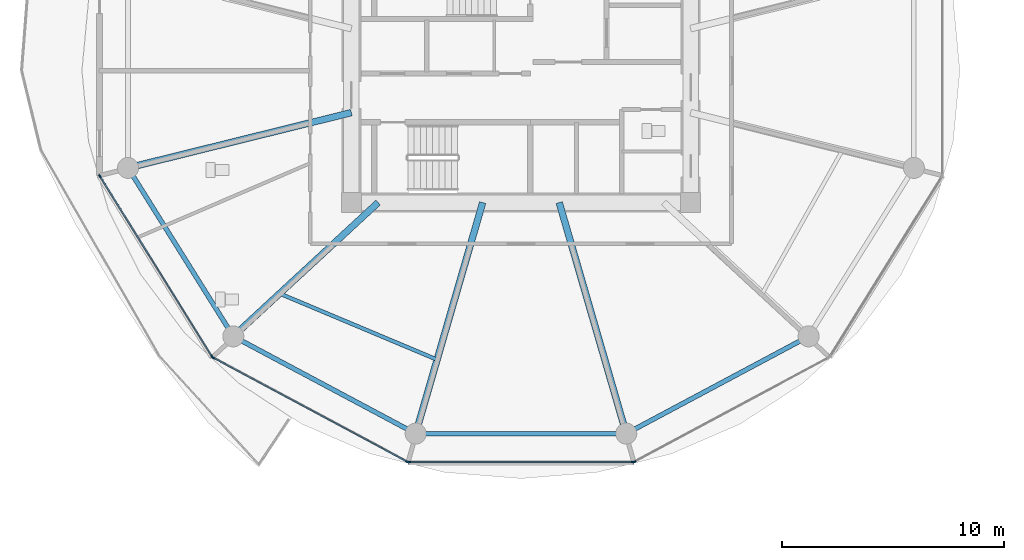
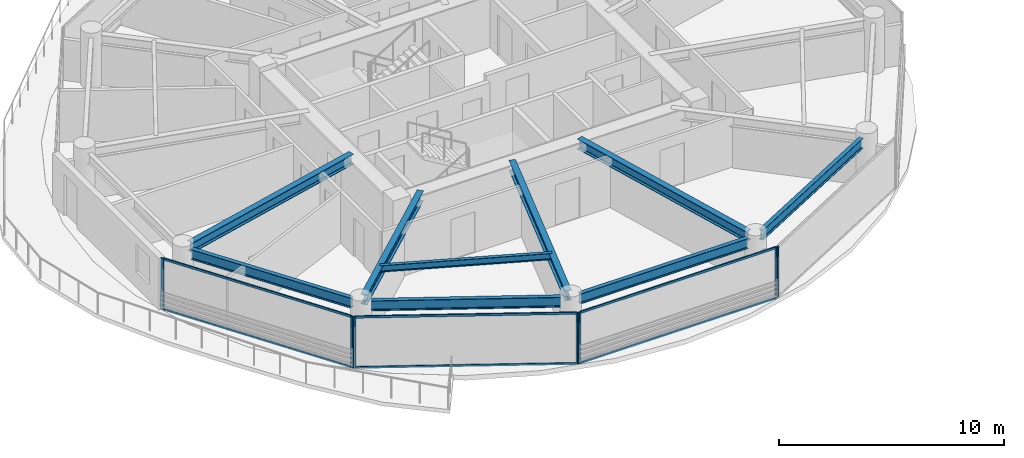
# One storey, part 2 of 27: 13 members, 9 beams, 4 elements without a shape of their own.
"""IFC4 building model written with IfcOpenShell, lengths in metres."""

from ifc_helpers import new_model, si_unit, direction, frame, origin, origin_2d, place, context, subcontext, project, spatial, rectangle, i_section, extrude, source, transform, mapped, material, layer, layer_set, material_profile, profile_set, type_object, type_shapes, element, aggregate, save


model = new_model("IFC4")

# Units and contexts
model_context = context("Model", 3, precision=1e-05, world=origin(), true_north=direction((0.0, 1.0)))
body_context = subcontext(model_context, "Body", "Model", "MODEL_VIEW")
ifc_project = project(units=[si_unit("LENGTHUNIT", "METRE"), si_unit("AREAUNIT", "SQUARE_METRE"), si_unit("VOLUMEUNIT", "CUBIC_METRE"), si_unit("PLANEANGLEUNIT", "RADIAN"), si_unit("MASSUNIT", "GRAM", prefix="KILO")], contexts=[model_context])

# Site, building, storey
site_placement = place(None, origin())
site = spatial("IfcSite", under=ifc_project, at=site_placement, CompositionType="ELEMENT")
building_placement = place(site_placement, origin())
building = spatial("IfcBuilding", under=site, at=building_placement, Name="Norrkilde Senior Care Towers", CompositionType="ELEMENT")
storey_placement = place(building_placement, frame((0.0, 0.0, 36.85009765625)))
storey = spatial("IfcBuildingStorey", under=building, at=storey_placement, Name="L10", CompositionType="ELEMENT", Elevation=36.85009765625)

# Beams
ifc_material_1 = material(Name="Steel S355", Category="steel")
ifc_material_profile_1 = material_profile(ifc_material_1, i_section(OverallWidth=0.2099609375, OverallDepth=0.550048828125, WebThickness=0.010986328125, FlangeThickness=0.01708984375, FilletRadius=0.02392578125, at=origin_2d()), Name="IPE 550")
ifc_profile_set_1 = profile_set([ifc_material_profile_1], Name="Steel S355")
beam_type_1 = type_object("IfcBeamType", Name="Perimeter Ring Spandrel Z1 IPE550", PredefinedType="SPANDREL", material=ifc_profile_set_1)
shared_shape_1 = source(origin(), body_context, "Body", "SweptSolid", [
    extrude(i_section(OverallWidth=0.2099609375, OverallDepth=0.550048828125, WebThickness=0.010986328125, FlangeThickness=0.01708984375, FilletRadius=0.02392578125, at=origin_2d()), origin(), (0.0, 0.0, 1.0), 8.090576171875),
])
beam_1_placement = place(storey_placement, frame((-45.494140625, -4.755859375, 2.514892578125), z_axis=(0.530004364821, -0.84799491347, 0.0), x_axis=(0.84799491347, 0.530004364821, 0.0)))
element("IfcBeam", 1, at=beam_1_placement, inside=storey, type_object=beam_type_1, Name="L10 Drum W Perimeter Spandrel 07", PredefinedType="SPANDREL", context=body_context, shape_type="MappedRepresentation", body=[
    mapped(shared_shape_1, transform((0.0, 0.0, 0.0), x_axis=(1.0, 0.0, 0.0), y_axis=(0.0, 1.0, 0.0), z_axis=(0.0, 0.0, 1.0), scale=1.0)),
])
ifc_material_profile_2 = material_profile(ifc_material_1, i_section(OverallWidth=0.300048828125, OverallDepth=0.550048828125, WebThickness=0.014892578125, FlangeThickness=0.029052734375, FilletRadius=0.027099609375, at=origin_2d()), Name="HEB 550")
ifc_profile_set_2 = profile_set([ifc_material_profile_2], Name="Steel S355")
beam_type_2 = type_object("IfcBeamType", Name="Radial Floor Beam Z1 HEB550", PredefinedType="BEAM", material=ifc_profile_set_2)
shared_shape_2 = source(origin(), body_context, "Body", "SweptSolid", [
    extrude(i_section(OverallWidth=0.300048828125, OverallDepth=0.550048828125, WebThickness=0.014892578125, FlangeThickness=0.029052734375, FilletRadius=0.027099609375, at=origin_2d()), origin(), (0.0, 0.0, 1.0), 9.94384765625),
])
beam_2_placement = place(storey_placement, frame((-35.64990234375, -1.893310546875, 2.514892578125), z_axis=(-0.970707425182, -0.240264634718, 0.0), x_axis=(0.240264634718, -0.970707425182, 0.0)))
element("IfcBeam", 2, at=beam_2_placement, inside=storey, type_object=beam_type_2, Name="L10 Drum W Radial Floor Beam 07", PredefinedType="BEAM", context=body_context, shape_type="MappedRepresentation", body=[
    mapped(shared_shape_2, transform((0.0, 0.0, 0.0), x_axis=(1.0, 0.0, 0.0), y_axis=(0.0, 1.0, 0.0), z_axis=(0.0, 0.0, 1.0), scale=1.0)),
])
shared_shape_3 = source(origin(), body_context, "Body", "SweptSolid", [
    extrude(i_section(OverallWidth=0.2099609375, OverallDepth=0.550048828125, WebThickness=0.010986328125, FlangeThickness=0.01708984375, FilletRadius=0.02392578125, at=origin_2d()), origin(), (0.0, 0.0, 1.0), 8.452880859375),
])
for number, where, z_axis, x_axis, name in (
    (3, (-40.591552734375, -12.190185546875, 2.514892578125), (0.882368931134, -0.470558252898, 0.0), (0.470558252898, 0.882368931134, 0.0), "L10 Drum W Perimeter Spandrel 08"),
    (4, (-22.866943359375, -16.167724609375, 2.514892578125), (0.882368931134, 0.470558252898, 0.0), (-0.470558252898, 0.882368931134, 0.0), "L10 Drum W Perimeter Spandrel 10"),
):
    element("IfcBeam", number, at=place(storey_placement, frame(where, z_axis=z_axis, x_axis=x_axis)), inside=storey, type_object=beam_type_1, Name=name, PredefinedType="SPANDREL", context=body_context, shape_type="MappedRepresentation", body=[
        mapped(shared_shape_3, transform((0.0, 0.0, 0.0), x_axis=(1.0, 0.0, 0.0), y_axis=(0.0, 1.0, 0.0), z_axis=(0.0, 0.0, 1.0), scale=1.0)),
    ])
shared_shape_4 = source(origin(), body_context, "Body", "SweptSolid", [
    extrude(i_section(OverallWidth=0.300048828125, OverallDepth=0.550048828125, WebThickness=0.014892578125, FlangeThickness=0.029052734375, FilletRadius=0.027099609375, at=origin_2d()), origin(), (0.0, 0.0, 1.0), 8.459716796875),
])
beam_3_placement = place(storey_placement, frame((-34.44140625, -5.949951171875, 2.514892578125), z_axis=(-0.734573269108, -0.678529374686, 0.0), x_axis=(0.678529374686, -0.734573269108, 0.0)))
element("IfcBeam", 5, at=beam_3_placement, inside=storey, type_object=beam_type_2, Name="L10 Drum W Radial Floor Beam 08", PredefinedType="BEAM", context=body_context, shape_type="MappedRepresentation", body=[
    mapped(shared_shape_4, transform((0.0, 0.0, 0.0), x_axis=(1.0, 0.0, 0.0), y_axis=(0.0, 1.0, 0.0), z_axis=(0.0, 0.0, 1.0), scale=1.0)),
])
shared_shape_5 = source(origin(), body_context, "Body", "SweptSolid", [
    extrude(i_section(OverallWidth=0.2099609375, OverallDepth=0.550048828125, WebThickness=0.010986328125, FlangeThickness=0.01708984375, FilletRadius=0.02392578125, at=origin_2d()), origin(), (0.0, 0.0, 1.0), 8.62841796875),
])
type_shapes(beam_type_1, [shared_shape_1, shared_shape_3, shared_shape_5])
beam_4_placement = place(storey_placement, frame((-32.314208984375, -16.37255859375, 2.514892578125), z_axis=(1.0, 0.0, 0.0), x_axis=(0.0, 1.0, 0.0)))
element("IfcBeam", 6, at=beam_4_placement, inside=storey, type_object=beam_type_1, Name="L10 Drum W Perimeter Spandrel 09", PredefinedType="SPANDREL", context=body_context, shape_type="MappedRepresentation", body=[
    mapped(shared_shape_5, transform((0.0, 0.0, 0.0), x_axis=(1.0, 0.0, 0.0), y_axis=(0.0, 1.0, 0.0), z_axis=(0.0, 0.0, 1.0), scale=1.0)),
])
shared_shape_6 = source(origin(), body_context, "Body", "SweptSolid", [
    extrude(i_section(OverallWidth=0.300048828125, OverallDepth=0.550048828125, WebThickness=0.014892578125, FlangeThickness=0.029052734375, FilletRadius=0.027099609375, at=origin_2d()), origin(), (0.0, 0.0, 1.0), 10.4169921875),
])
type_shapes(beam_type_2, [shared_shape_2, shared_shape_4, shared_shape_6])
for number, where, z_axis, x_axis, name in (
    (7, (-29.72607421875, -5.949951171875, 2.514892578125), (-0.278591250785, -0.960409764104, 0.0), (0.960409764104, -0.278591250785, 0.0), "L10 Drum W Radial Floor Beam 09"),
    (8, (-26.27392578125, -5.949951171875, 2.514892578125), (0.278591250785, -0.960409764104, 0.0), (0.960409764104, 0.278591250785, 0.0), "L10 Drum W Radial Floor Beam 10"),
):
    element("IfcBeam", number, at=place(storey_placement, frame(where, z_axis=z_axis, x_axis=x_axis)), inside=storey, type_object=beam_type_2, Name=name, PredefinedType="BEAM", context=body_context, shape_type="MappedRepresentation", body=[
        mapped(shared_shape_6, transform((0.0, 0.0, 0.0), x_axis=(1.0, 0.0, 0.0), y_axis=(0.0, 1.0, 0.0), z_axis=(0.0, 0.0, 1.0), scale=1.0)),
    ])
ifc_material_profile_3 = material_profile(ifc_material_1, i_section(OverallWidth=0.169921875, OverallDepth=0.360107421875, WebThickness=0.008056640625, FlangeThickness=0.0126953125, FilletRadius=0.01806640625, at=origin_2d()), Name="IPE 360")
ifc_profile_set_3 = profile_set([ifc_material_profile_3], Name="Steel S355")
beam_type_3 = type_object("IfcBeamType", Name="Secondary Floor Joist IPE360", PredefinedType="JOIST", material=ifc_profile_set_3)
shared_shape_7 = source(origin(), body_context, "Body", "SweptSolid", [
    extrude(i_section(OverallWidth=0.169921875, OverallDepth=0.360107421875, WebThickness=0.008056640625, FlangeThickness=0.0126953125, FilletRadius=0.01806640625, at=origin_2d()), origin(), (0.0, 0.0, 1.0), 7.703857421875),
])
type_shapes(beam_type_3, [shared_shape_7])
beam_5_placement = place(storey_placement, frame((-38.884521484375, -10.05419921875, 2.60986328125), z_axis=(0.921982784465, -0.387230868023, 0.0), x_axis=(0.387230868023, 0.921982784465, 0.0)))
element("IfcBeam", 9, at=beam_5_placement, inside=storey, type_object=beam_type_3, Name="L10 Drum W Secondary Floor Joist 3", PredefinedType="JOIST", context=body_context, shape_type="MappedRepresentation", body=[
    mapped(shared_shape_7, transform((0.0, 0.0, 0.0), x_axis=(1.0, 0.0, 0.0), y_axis=(0.0, 1.0, 0.0), z_axis=(0.0, 0.0, 1.0), scale=1.0)),
])

# Curtain wall, members
ifc_material_2 = material(Name="Triple Low-E Insulated Glazing", Category="glass")
ifc_layer = layer(ifc_material_2, 0.199951171875)
ifc_layer_set = layer_set([ifc_layer], Name="Triple Low-E Insulated Glazing")
curtain_wall_type = type_object("IfcCurtainWallType", Name="CW2 Zone 1 Memory Care Curtain Wall", PredefinedType="NOTDEFINED", material=ifc_layer_set)
curtain_wall_1_placement = place(storey_placement, origin())
curtain_wall_1 = element("IfcCurtainWall", 10, at=curtain_wall_1_placement, inside=storey, type_object=curtain_wall_type, Name="L10 Drum W Curtain Wall 06", PredefinedType="NOTDEFINED")
ifc_material_3 = material(Name="Anodised Aluminium", Category="aluminium")
ifc_material_profile_4 = material_profile(ifc_material_3, rectangle(XDim=0.06494140625, YDim=0.159912109375, at=origin_2d()), Name="ALU MULL 65x160")
ifc_profile_set_4 = profile_set([ifc_material_profile_4], Name="Anodised Aluminium")
member_type_1 = type_object("IfcMemberType", Name="Curtain Wall Mullion Z1-Z2 65x160", PredefinedType="MULLION", material=ifc_profile_set_4)
shared_shape_8 = source(origin(), body_context, "Body", "SweptSolid", [
    extrude(rectangle(XDim=0.06494140625, YDim=0.159912109375, at=origin_2d()), origin(), (0.0, 0.0, 1.0), 2.789794921875),
])
type_shapes(member_type_1, [shared_shape_8])
member_1_placement = place(storey_placement, frame((-41.93310546875, -12.898193359375, 0.0), z_axis=(0.0, 0.0, 1.0), x_axis=(-0.849305943117, -0.527900951871, 0.0)))
member_1 = element("IfcMember", 11, at=member_1_placement, type_object=member_type_1, Name="CW-2 mullion 1", PredefinedType="MULLION", context=body_context, shape_type="MappedRepresentation", body=[
    mapped(shared_shape_8, transform((0.0, 0.0, 0.0), x_axis=(1.0, 0.0, 0.0), y_axis=(0.0, 1.0, 0.0), z_axis=(0.0, 0.0, 1.0), scale=1.0)),
])
member_2_placement = place(storey_placement, frame((-46.9921875, -4.7587890625, 0.0), z_axis=(0.0, 0.0, 1.0), x_axis=(-0.849305943117, -0.527900951871, 0.0)))
member_2 = element("IfcMember", 12, at=member_2_placement, type_object=member_type_1, Name="CW-2 mullion 2", PredefinedType="MULLION", context=body_context, shape_type="MappedRepresentation", body=[
    mapped(shared_shape_8, transform((0.0, 0.0, 0.0), x_axis=(1.0, 0.0, 0.0), y_axis=(0.0, 1.0, 0.0), z_axis=(0.0, 0.0, 1.0), scale=1.0)),
])

curtain_wall_2_placement = place(storey_placement, origin())
curtain_wall_2 = element("IfcCurtainWall", 13, at=curtain_wall_2_placement, inside=storey, type_object=curtain_wall_type, Name="L10 Drum W Curtain Wall 07", PredefinedType="NOTDEFINED")
member_3_placement = place(storey_placement, frame((-33.122314453125, -17.641845703125, 0.0), z_axis=(0.0, 0.0, 1.0), x_axis=(-0.472607802456, -0.881272866403, 0.0)))
member_3 = element("IfcMember", 14, at=member_3_placement, type_object=member_type_1, Name="CW-2 mullion 1", PredefinedType="MULLION", context=body_context, shape_type="MappedRepresentation", body=[
    mapped(shared_shape_8, transform((0.0, 0.0, 0.0), x_axis=(1.0, 0.0, 0.0), y_axis=(0.0, 1.0, 0.0), z_axis=(0.0, 0.0, 1.0), scale=1.0)),
])
member_4_placement = place(storey_placement, frame((-41.88720703125, -12.941162109375, 0.0), z_axis=(0.0, 0.0, 1.0), x_axis=(-0.472607802456, -0.881272866403, 0.0)))
member_4 = element("IfcMember", 15, at=member_4_placement, type_object=member_type_1, Name="CW-2 mullion 2", PredefinedType="MULLION", context=body_context, shape_type="MappedRepresentation", body=[
    mapped(shared_shape_8, transform((0.0, 0.0, 0.0), x_axis=(1.0, 0.0, 0.0), y_axis=(0.0, 1.0, 0.0), z_axis=(0.0, 0.0, 1.0), scale=1.0)),
])

curtain_wall_3_placement = place(storey_placement, origin())
curtain_wall_3 = element("IfcCurtainWall", 16, at=curtain_wall_3_placement, inside=storey, type_object=curtain_wall_type, Name="L10 Drum W Curtain Wall 08", PredefinedType="NOTDEFINED")
member_5_placement = place(storey_placement, frame((-22.93896484375, -17.6572265625, 0.0), z_axis=(0.0, 0.0, 1.0), x_axis=(0.0, -1.0, 0.0)))
member_5 = element("IfcMember", 17, at=member_5_placement, type_object=member_type_1, Name="CW-2 mullion 1", PredefinedType="MULLION", context=body_context, shape_type="MappedRepresentation", body=[
    mapped(shared_shape_8, transform((0.0, 0.0, 0.0), x_axis=(1.0, 0.0, 0.0), y_axis=(0.0, 1.0, 0.0), z_axis=(0.0, 0.0, 1.0), scale=1.0)),
])
member_6_placement = place(storey_placement, frame((-33.06103515625, -17.6572265625, 0.0), z_axis=(0.0, 0.0, 1.0), x_axis=(0.0, -1.0, 0.0)))
member_6 = element("IfcMember", 18, at=member_6_placement, type_object=member_type_1, Name="CW-2 mullion 2", PredefinedType="MULLION", context=body_context, shape_type="MappedRepresentation", body=[
    mapped(shared_shape_8, transform((0.0, 0.0, 0.0), x_axis=(1.0, 0.0, 0.0), y_axis=(0.0, 1.0, 0.0), z_axis=(0.0, 0.0, 1.0), scale=1.0)),
])

# Curtain wall, member
curtain_wall_4_placement = place(storey_placement, origin())
curtain_wall_4 = element("IfcCurtainWall", 19, at=curtain_wall_4_placement, inside=storey, type_object=curtain_wall_type, Name="L10 Drum W Curtain Wall 09", PredefinedType="NOTDEFINED")
member_7_placement = place(storey_placement, frame((-22.877685546875, -17.641845703125, 0.0), z_axis=(0.0, 0.0, 1.0), x_axis=(0.472607802456, -0.881272866403, 0.0)))
member_7 = element("IfcMember", 20, at=member_7_placement, type_object=member_type_1, Name="CW-2 mullion 2", PredefinedType="MULLION", context=body_context, shape_type="MappedRepresentation", body=[
    mapped(shared_shape_8, transform((0.0, 0.0, 0.0), x_axis=(1.0, 0.0, 0.0), y_axis=(0.0, 1.0, 0.0), z_axis=(0.0, 0.0, 1.0), scale=1.0)),
])
aggregate(curtain_wall_4, [member_7])

# Member
ifc_material_profile_5 = material_profile(ifc_material_3, rectangle(XDim=0.06005859375, YDim=0.1201171875, at=origin_2d()), Name="ALU TRAN 60x120")
ifc_profile_set_5 = profile_set([ifc_material_profile_5], Name="Anodised Aluminium")
member_type_2 = type_object("IfcMemberType", Name="Curtain Wall Transom Typical 60x120", PredefinedType="USERDEFINED", material=ifc_profile_set_5)
shared_shape_9 = source(origin(), body_context, "Body", "SweptSolid", [
    extrude(rectangle(XDim=0.06005859375, YDim=0.1201171875, at=origin_2d()), origin(), (0.0, 0.0, 1.0), 9.5185546875),
])
member_8_placement = place(storey_placement, frame((-41.9501953125, -12.87060546875, 0.02978515625), z_axis=(-0.527901620669, 0.849305527413, 0.0), x_axis=(-0.849305527413, -0.527901620669, 0.0)))
member_8 = element("IfcMember", 21, at=member_8_placement, type_object=member_type_2, Name="CW-2 transom 1.1", ObjectType="TRANSOM", PredefinedType="USERDEFINED", context=body_context, shape_type="MappedRepresentation", body=[
    mapped(shared_shape_9, transform((0.0, 0.0, 0.0), x_axis=(1.0, 0.0, 0.0), y_axis=(0.0, 1.0, 0.0), z_axis=(0.0, 0.0, 1.0), scale=1.0)),
])

member_9_placement = place(storey_placement, frame((-41.9501953125, -12.87060546875, 2.760009765625), z_axis=(-0.527901620669, 0.849305527413, 0.0), x_axis=(-0.849305527413, -0.527901620669, 0.0)))
member_9 = element("IfcMember", 22, at=member_9_placement, type_object=member_type_2, Name="CW-2 transom 1.2", ObjectType="TRANSOM", PredefinedType="USERDEFINED", context=body_context, shape_type="MappedRepresentation", body=[
    mapped(shared_shape_9, transform((0.0, 0.0, 0.0), x_axis=(1.0, 0.0, 0.0), y_axis=(0.0, 1.0, 0.0), z_axis=(0.0, 0.0, 1.0), scale=1.0)),
])

aggregate(curtain_wall_1, [member_1, member_2, member_8, member_9])

shared_shape_10 = source(origin(), body_context, "Body", "SweptSolid", [
    extrude(rectangle(XDim=0.06005859375, YDim=0.1201171875, at=origin_2d()), origin(), (0.0, 0.0, 1.0), 9.880859375),
])
member_10_placement = place(storey_placement, frame((-33.15087890625, -17.62646484375, 0.02978515625), z_axis=(-0.881267204043, 0.47261836092, 0.0), x_axis=(-0.47261836092, -0.881267204043, 0.0)))
member_10 = element("IfcMember", 23, at=member_10_placement, type_object=member_type_2, Name="CW-2 transom 1.1", ObjectType="TRANSOM", PredefinedType="USERDEFINED", context=body_context, shape_type="MappedRepresentation", body=[
    mapped(shared_shape_10, transform((0.0, 0.0, 0.0), x_axis=(1.0, 0.0, 0.0), y_axis=(0.0, 1.0, 0.0), z_axis=(0.0, 0.0, 1.0), scale=1.0)),
])

member_11_placement = place(storey_placement, frame((-33.15087890625, -17.62646484375, 2.760009765625), z_axis=(-0.881267204043, 0.47261836092, 0.0), x_axis=(-0.47261836092, -0.881267204043, 0.0)))
member_11 = element("IfcMember", 24, at=member_11_placement, type_object=member_type_2, Name="CW-2 transom 1.2", ObjectType="TRANSOM", PredefinedType="USERDEFINED", context=body_context, shape_type="MappedRepresentation", body=[
    mapped(shared_shape_10, transform((0.0, 0.0, 0.0), x_axis=(1.0, 0.0, 0.0), y_axis=(0.0, 1.0, 0.0), z_axis=(0.0, 0.0, 1.0), scale=1.0)),
])

aggregate(curtain_wall_2, [member_3, member_4, member_10, member_11])

shared_shape_11 = source(origin(), body_context, "Body", "SweptSolid", [
    extrude(rectangle(XDim=0.06005859375, YDim=0.1201171875, at=origin_2d()), origin(), (0.0, 0.0, 1.0), 10.05712890625),
])
type_shapes(member_type_2, [shared_shape_9, shared_shape_10, shared_shape_11])
member_12_placement = place(storey_placement, frame((-22.971435546875, -17.6572265625, 0.02978515625), z_axis=(-1.0, 0.0, 0.0), x_axis=(0.0, -1.0, 0.0)))
member_12 = element("IfcMember", 25, at=member_12_placement, type_object=member_type_2, Name="CW-2 transom 1.1", ObjectType="TRANSOM", PredefinedType="USERDEFINED", context=body_context, shape_type="MappedRepresentation", body=[
    mapped(shared_shape_11, transform((0.0, 0.0, 0.0), x_axis=(1.0, 0.0, 0.0), y_axis=(0.0, 1.0, 0.0), z_axis=(0.0, 0.0, 1.0), scale=1.0)),
])

member_13_placement = place(storey_placement, frame((-22.971435546875, -17.6572265625, 2.760009765625), z_axis=(-1.0, 0.0, 0.0), x_axis=(0.0, -1.0, 0.0)))
member_13 = element("IfcMember", 26, at=member_13_placement, type_object=member_type_2, Name="CW-2 transom 1.2", ObjectType="TRANSOM", PredefinedType="USERDEFINED", context=body_context, shape_type="MappedRepresentation", body=[
    mapped(shared_shape_11, transform((0.0, 0.0, 0.0), x_axis=(1.0, 0.0, 0.0), y_axis=(0.0, 1.0, 0.0), z_axis=(0.0, 0.0, 1.0), scale=1.0)),
])

aggregate(curtain_wall_3, [member_5, member_6, member_12, member_13])

save(model, "model.ifc")
